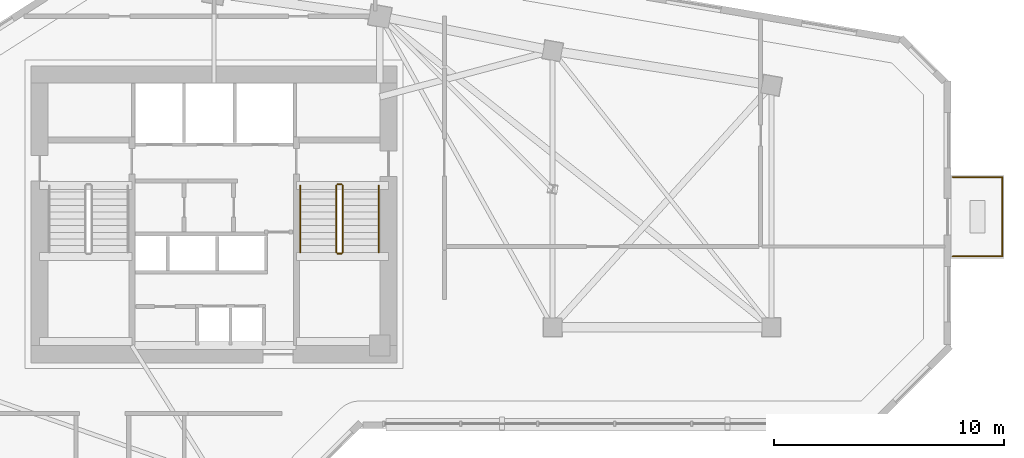
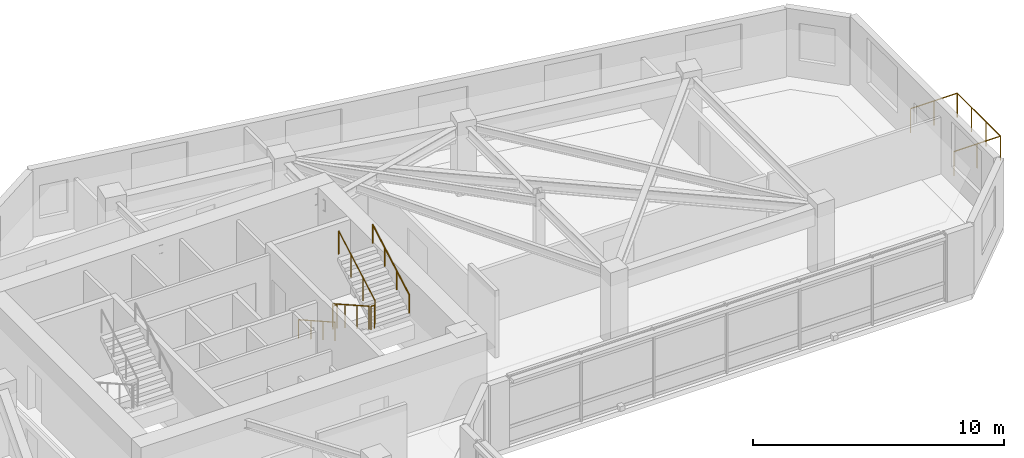
# One storey, part 10 of 10: 9 railings.
"""IFC4 building model written with IfcOpenShell, lengths in metres."""

from ifc_helpers import new_model, si_unit, direction, frame, origin, origin_2d, place, context, subcontext, project, spatial, circle, extrude, material, type_object, element, save


model = new_model("IFC4")

# Units and contexts
model_context = context("Model", 3, precision=1e-05, world=origin(), true_north=direction((0.0, 1.0)))
body_context = subcontext(model_context, "Body", "Model", "MODEL_VIEW")
ifc_project = project(units=[si_unit("LENGTHUNIT", "METRE"), si_unit("AREAUNIT", "SQUARE_METRE"), si_unit("VOLUMEUNIT", "CUBIC_METRE"), si_unit("PLANEANGLEUNIT", "RADIAN"), si_unit("MASSUNIT", "GRAM", prefix="KILO")], contexts=[model_context])

# Site, building, storey
site_placement = place(None, origin())
site = spatial("IfcSite", under=ifc_project, at=site_placement, CompositionType="ELEMENT")
building_placement = place(site_placement, origin())
building = spatial("IfcBuilding", under=site, at=building_placement, Name="Calvemar Wedge Station Tower", CompositionType="ELEMENT")
storey_placement = place(building_placement, frame((0.0, 0.0, 168.199951171875)))
storey = spatial("IfcBuildingStorey", under=building, at=storey_placement, Name="L42", CompositionType="ELEMENT", Elevation=168.199951171875)

# Railings
ifc_material_1 = material(Name="Stainless steel AISI 316L", Category="steel")
railing_type_1 = type_object("IfcRailingType", Name="GRD-TERR-1200", PredefinedType="GUARDRAIL", material=ifc_material_1)
railing_1_placement = place(storey_placement, frame((55.8798828125, 41.511962890625, 0.0)))
element("IfcRailing", 1, at=railing_1_placement, inside=storey, type_object=railing_type_1, Name="Storey L42 Spiral Terrace Guard 2", PredefinedType="GUARDRAIL", context=body_context, shape_type="SweptSolid", body=[
    extrude(circle(Radius=0.02392578125, at=origin_2d()), frame((0.0, 0.0, 1.17578125), z_axis=(1.0, 0.0, 0.0), x_axis=(0.0, 1.0, 0.0)), (0.0, 0.0, 1.0), 2.14013671875),
    extrude(circle(Radius=0.02099609375, at=origin_2d()), origin(), (0.0, 0.0, 1.0), 1.15185546875),
    extrude(circle(Radius=0.02099609375, at=origin_2d()), frame((1.070068359375, 0.0, 0.0)), (0.0, 0.0, 1.0), 1.15185546875),
    extrude(circle(Radius=0.02099609375, at=origin_2d()), frame((2.14013671875, 0.0, 0.0)), (0.0, 0.0, 1.0), 1.15185546875),
])
railing_2_placement = place(storey_placement, frame((58.02001953125, 41.511962890625, 0.0)))
element("IfcRailing", 2, at=railing_2_placement, inside=storey, type_object=railing_type_1, Name="Storey L42 Spiral Terrace Guard 3", PredefinedType="GUARDRAIL", context=body_context, shape_type="SweptSolid", body=[
    extrude(circle(Radius=0.02392578125, at=origin_2d()), frame((0.0, 0.0, 1.17578125), z_axis=(0.0, -1.0, 0.0), x_axis=(1.0, 0.0, 0.0)), (0.0, 0.0, 1.0), 3.43994140625),
    extrude(circle(Radius=0.02099609375, at=origin_2d()), origin(), (0.0, 0.0, 1.0), 1.15185546875),
    extrude(circle(Radius=0.02099609375, at=origin_2d()), frame((0.0, -1.146728515625, 0.0)), (0.0, 0.0, 1.0), 1.15185546875),
    extrude(circle(Radius=0.02099609375, at=origin_2d()), frame((0.0, -2.293212890625, 0.0)), (0.0, 0.0, 1.0), 1.15185546875),
    extrude(circle(Radius=0.02099609375, at=origin_2d()), frame((0.0, -3.43994140625, 0.0)), (0.0, 0.0, 1.0), 1.15185546875),
])
railing_3_placement = place(storey_placement, frame((58.02001953125, 38.072021484375, 0.0)))
element("IfcRailing", 3, at=railing_3_placement, inside=storey, type_object=railing_type_1, Name="Storey L42 Spiral Terrace Guard 4", PredefinedType="GUARDRAIL", context=body_context, shape_type="SweptSolid", body=[
    extrude(circle(Radius=0.02392578125, at=origin_2d()), frame((0.0, 0.0, 1.17578125), z_axis=(-1.0, 0.0, 0.0), x_axis=(0.0, -1.0, 0.0)), (0.0, 0.0, 1.0), 2.14013671875),
    extrude(circle(Radius=0.02099609375, at=origin_2d()), origin(), (0.0, 0.0, 1.0), 1.15185546875),
    extrude(circle(Radius=0.02099609375, at=origin_2d()), frame((-1.070068359375, 0.0, 0.0)), (0.0, 0.0, 1.0), 1.15185546875),
    extrude(circle(Radius=0.02099609375, at=origin_2d()), frame((-2.14013671875, 0.0, 0.0)), (0.0, 0.0, 1.0), 1.15185546875),
])
railing_type_2 = type_object("IfcRailingType", Name="RL-HANDRAIL-920", PredefinedType="HANDRAIL", material=ifc_material_1)
railing_4_placement = place(storey_placement, frame((27.550048828125, 41.14990234375, 0.16357421875)))
element("IfcRailing", 4, at=railing_4_placement, inside=storey, type_object=railing_type_2, Name="L42 ST-C2 stair handrail 1", PredefinedType="HANDRAIL", context=body_context, shape_type="SweptSolid", body=[
    extrude(circle(Radius=0.02392578125, at=origin_2d()), frame((0.0, 0.0, 0.89599609375), z_axis=(0.0, -0.870897200241, 0.491465224214), x_axis=(1.0, 0.0, 0.0)), (0.0, 0.0, 1.0), 3.329833984375),
    extrude(circle(Radius=0.02099609375, at=origin_2d()), origin(), (0.0, 0.0, 1.0), 0.871826171875),
    extrude(circle(Radius=0.02099609375, at=origin_2d()), frame((0.0, -0.966552734375, 0.54541015625)), (0.0, 0.0, 1.0), 0.871826171875),
    extrude(circle(Radius=0.02099609375, at=origin_2d()), frame((0.0, -1.933349609375, 1.091064453125)), (0.0, 0.0, 1.0), 0.871826171875),
    extrude(circle(Radius=0.02099609375, at=origin_2d()), frame((0.0, -2.89990234375, 1.636474609375)), (0.0, 0.0, 1.0), 0.871826171875),
])
railing_5_placement = place(storey_placement, frame((30.949951171875, 38.25, 1.963623046875)))
element("IfcRailing", 5, at=railing_5_placement, inside=storey, type_object=railing_type_2, Name="L42 ST-C2 stair handrail 2", PredefinedType="HANDRAIL", context=body_context, shape_type="SweptSolid", body=[
    extrude(circle(Radius=0.02392578125, at=origin_2d()), frame((0.0, 0.0, 0.89599609375), z_axis=(0.0, 0.870897200241, 0.491465224214), x_axis=(-1.0, 0.0, 0.0)), (0.0, 0.0, 1.0), 3.329833984375),
    extrude(circle(Radius=0.02099609375, at=origin_2d()), origin(), (0.0, 0.0, 1.0), 0.871826171875),
    extrude(circle(Radius=0.02099609375, at=origin_2d()), frame((0.0, 0.966552734375, 0.54541015625)), (0.0, 0.0, 1.0), 0.871826171875),
    extrude(circle(Radius=0.02099609375, at=origin_2d()), frame((0.0, 1.933349609375, 1.091064453125)), (0.0, 0.0, 1.0), 0.871826171875),
    extrude(circle(Radius=0.02099609375, at=origin_2d()), frame((0.0, 2.89990234375, 1.636474609375)), (0.0, 0.0, 1.0), 0.871826171875),
])
ifc_material_2 = material(Name="Painted steel guardrail ASTM A500 Grade C", Category="steel")
railing_type_3 = type_object("IfcRailingType", Name="RL-STAIR-GUARD-1150", PredefinedType="GUARDRAIL", material=ifc_material_2)
railing_6_placement = place(storey_placement, frame((29.110107421875, 41.14990234375, 0.16357421875)))
element("IfcRailing", 6, at=railing_6_placement, inside=storey, type_object=railing_type_3, Name="L42 ST-C2 stair guard 1", PredefinedType="GUARDRAIL", context=body_context, shape_type="SweptSolid", body=[
    extrude(circle(Radius=0.02392578125, at=origin_2d()), frame((0.0, 0.0, 1.1259765625), z_axis=(0.0, -0.870897200241, 0.491465224214), x_axis=(1.0, 0.0, 0.0)), (0.0, 0.0, 1.0), 3.329833984375),
    extrude(circle(Radius=0.02099609375, at=origin_2d()), origin(), (0.0, 0.0, 1.0), 1.101806640625),
    extrude(circle(Radius=0.02099609375, at=origin_2d()), frame((0.0, -0.966552734375, 0.54541015625)), (0.0, 0.0, 1.0), 1.101806640625),
    extrude(circle(Radius=0.02099609375, at=origin_2d()), frame((0.0, -1.933349609375, 1.091064453125)), (0.0, 0.0, 1.0), 1.101806640625),
    extrude(circle(Radius=0.02099609375, at=origin_2d()), frame((0.0, -2.89990234375, 1.636474609375)), (0.0, 0.0, 1.0), 1.101806640625),
])
railing_7_placement = place(storey_placement, frame((29.159912109375, 38.199951171875, 1.800048828125)))
element("IfcRailing", 7, at=railing_7_placement, inside=storey, type_object=railing_type_3, Name="L42 ST-C2 stair guard 2", PredefinedType="GUARDRAIL", context=body_context, shape_type="SweptSolid", body=[
    extrude(circle(Radius=0.02392578125, at=origin_2d()), frame((0.0, 0.0, 1.1259765625), z_axis=(1.0, 0.0, 0.0), x_axis=(0.0, 1.0, 0.0)), (0.0, 0.0, 1.0), 0.18017578125),
    extrude(circle(Radius=0.02099609375, at=origin_2d()), origin(), (0.0, 0.0, 1.0), 1.101806640625),
    extrude(circle(Radius=0.02099609375, at=origin_2d()), frame((0.18017578125, 0.0, 0.0)), (0.0, 0.0, 1.0), 1.101806640625),
])
railing_8_placement = place(storey_placement, frame((29.389892578125, 38.25, 1.963623046875)))
element("IfcRailing", 8, at=railing_8_placement, inside=storey, type_object=railing_type_3, Name="L42 ST-C2 stair guard 3", PredefinedType="GUARDRAIL", context=body_context, shape_type="SweptSolid", body=[
    extrude(circle(Radius=0.02392578125, at=origin_2d()), frame((0.0, 0.0, 1.1259765625), z_axis=(0.0, 0.870897200241, 0.491465224214), x_axis=(-1.0, 0.0, 0.0)), (0.0, 0.0, 1.0), 3.329833984375),
    extrude(circle(Radius=0.02099609375, at=origin_2d()), origin(), (0.0, 0.0, 1.0), 1.101806640625),
    extrude(circle(Radius=0.02099609375, at=origin_2d()), frame((0.0, 0.966552734375, 0.54541015625)), (0.0, 0.0, 1.0), 1.101806640625),
    extrude(circle(Radius=0.02099609375, at=origin_2d()), frame((0.0, 1.933349609375, 1.091064453125)), (0.0, 0.0, 1.0), 1.101806640625),
    extrude(circle(Radius=0.02099609375, at=origin_2d()), frame((0.0, 2.89990234375, 1.636474609375)), (0.0, 0.0, 1.0), 1.101806640625),
])
railing_9_placement = place(storey_placement, frame((29.159912109375, 41.199951171875, 0.0)))
element("IfcRailing", 9, at=railing_9_placement, inside=storey, type_object=railing_type_3, Name="L42 ST-C2 stair guard 4", PredefinedType="GUARDRAIL", context=body_context, shape_type="SweptSolid", body=[
    extrude(circle(Radius=0.02392578125, at=origin_2d()), frame((0.0, 0.0, 1.1259765625), z_axis=(1.0, 0.0, 0.0), x_axis=(0.0, 1.0, 0.0)), (0.0, 0.0, 1.0), 0.18017578125),
    extrude(circle(Radius=0.02099609375, at=origin_2d()), origin(), (0.0, 0.0, 1.0), 1.101806640625),
    extrude(circle(Radius=0.02099609375, at=origin_2d()), frame((0.18017578125, 0.0, 0.0)), (0.0, 0.0, 1.0), 1.101806640625),
])

save(model, "model.ifc")
